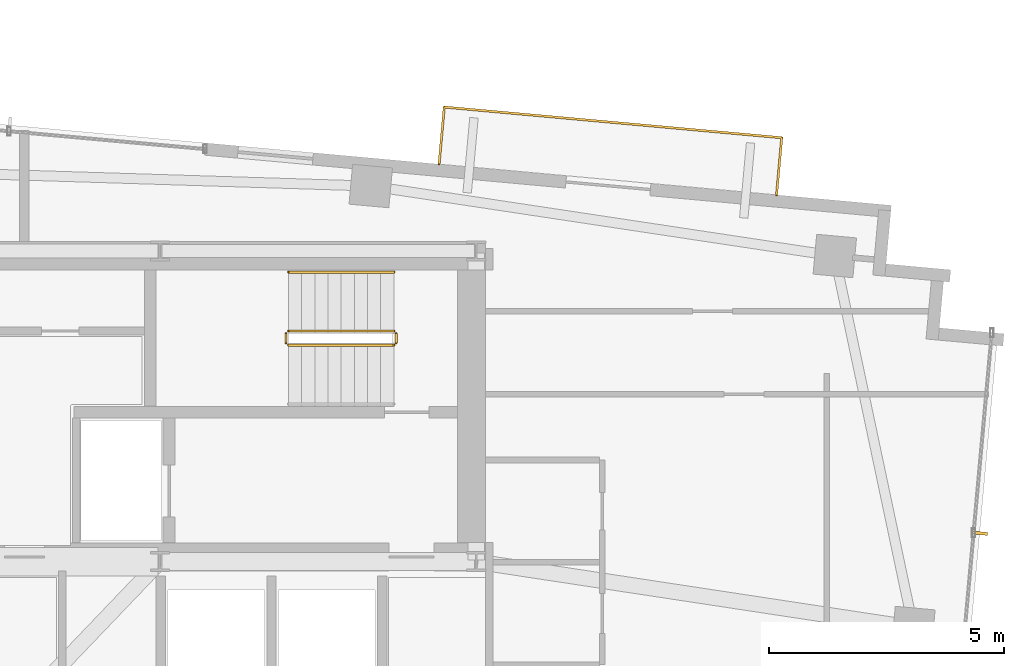
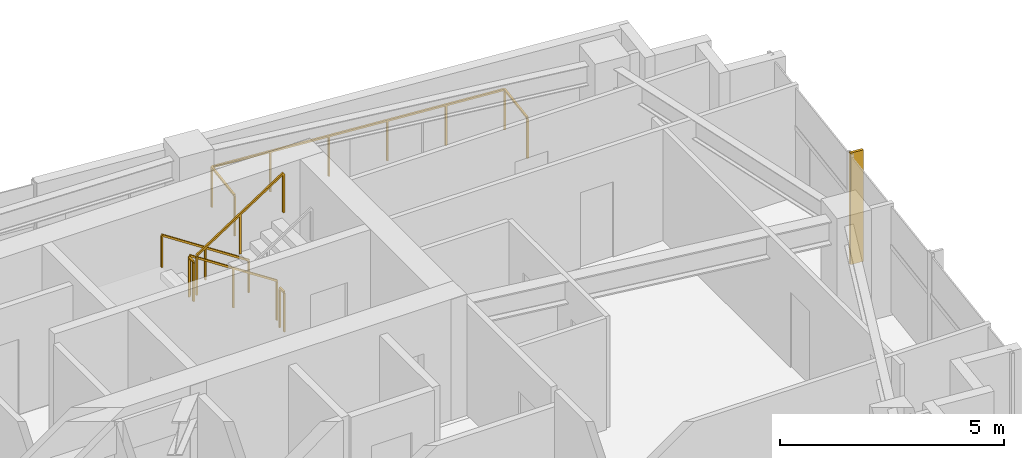
# One storey, part 22 of 22: 6 railings, 1 shading device.
"""IFC4 building model written with IfcOpenShell, lengths in metres."""

from ifc_helpers import new_model, si_unit, direction, frame, origin, origin_2d, place, context, subcontext, project, spatial, rectangle, extrude, source, transform, mapped, material, type_object, type_shapes, element, save


model = new_model("IFC4")

# Units and contexts
model_context = context("Model", 3, precision=1e-05, world=origin(), true_north=direction((0.0, 1.0)))
body_context = subcontext(model_context, "Body", "Model", "MODEL_VIEW")
ifc_project = project(units=[si_unit("LENGTHUNIT", "METRE"), si_unit("AREAUNIT", "SQUARE_METRE"), si_unit("VOLUMEUNIT", "CUBIC_METRE"), si_unit("PLANEANGLEUNIT", "RADIAN"), si_unit("MASSUNIT", "GRAM", prefix="KILO")], contexts=[model_context])

# Site, building, storey
site_placement = place(None, origin())
site = spatial("IfcSite", under=ifc_project, at=site_placement, CompositionType="ELEMENT")
building_placement = place(site_placement, origin())
building = spatial("IfcBuilding", under=site, at=building_placement, Name="Astriad Promenade Condominiums", CompositionType="ELEMENT")
storey_placement = place(building_placement, frame((0.0, 0.0, 252.89990234375)))
storey = spatial("IfcBuildingStorey", under=building, at=storey_placement, Name="L73", CompositionType="ELEMENT", Elevation=252.89990234375)

# Shading device
ifc_material_1 = material(Name="Anodised aluminium 6063-T6 Black Fin", Category="aluminium")
shading_device_type = type_object("IfcShadingDeviceType", Name="FIN-BLACK-260", PredefinedType="USERDEFINED", material=ifc_material_1)
shared_shape_1 = source(origin(), body_context, "Body", "SweptSolid", [
    extrude(rectangle(XDim=0.06494140625, YDim=0.320068359375, at=origin_2d()), origin(), (0.0, 0.0, 1.0), 3.0400390625),
])
type_shapes(shading_device_type, [shared_shape_1])
shading_device_placement = place(storey_placement, frame((56.306884765625, 18.0029296875, 0.0), z_axis=(0.0, 0.0, 1.0), x_axis=(-0.090632580198, -0.995884398616, 0.0)))
element("IfcShadingDevice", 1, at=shading_device_placement, inside=storey, type_object=shading_device_type, Name="CW-L73-E-FIN-01", ObjectType="FIN", PredefinedType="USERDEFINED", context=body_context, shape_type="MappedRepresentation", body=[
    mapped(shared_shape_1, transform((0.0, 0.0, 0.0), scale=1.0)),
])

# Railings
ifc_material_2 = material(Name="Laminated Glass and Stainless Steel Balustrade", Category="steel")
railing_type_1 = type_object("IfcRailingType", Name="GRD-BALC-1120", PredefinedType="BALUSTRADE", material=ifc_material_2)
shared_shape_2 = source(origin(), body_context, "Body", "SweptSolid", [
    extrude(rectangle(XDim=0.048095703125, YDim=0.048095703125, at=origin_2d()), frame((0.0, 0.0, 1.09619140625), z_axis=(0.09066206129, 0.995881715186, 0.0), x_axis=(-0.995881715186, 0.09066206129, 0.0)), (0.0, 0.0, 1.0), 1.219970703125),
    extrude(rectangle(XDim=0.048095703125, YDim=0.048095703125, at=origin_2d()), frame((0.110595703125, 1.21484375, 1.09619140625), z_axis=(-0.995885143463, 0.090624395332, 0.0), x_axis=(-0.090624395332, -0.995885143463, 0.0)), (0.0, 0.0, 1.0), 7.200927734375),
    extrude(rectangle(XDim=0.048095703125, YDim=0.048095703125, at=origin_2d()), frame((-7.060791015625, 1.867431640625, 1.09619140625), z_axis=(-0.09066206129, -0.995881715186, 0.0), x_axis=(0.995881715186, -0.09066206129, 0.0)), (0.0, 0.0, 1.0), 1.219970703125),
    extrude(rectangle(XDim=0.0419921875, YDim=0.0419921875, at=origin_2d()), origin(), (0.0, 0.0, 1.0), 1.072021484375),
    extrude(rectangle(XDim=0.0419921875, YDim=0.0419921875, at=origin_2d()), frame((0.110595703125, 1.21484375, 0.0)), (0.0, 0.0, 1.0), 1.072021484375),
    extrude(rectangle(XDim=0.0419921875, YDim=0.0419921875, at=origin_2d()), frame((-1.32373046875, 1.345458984375, 0.0)), (0.0, 0.0, 1.0), 1.072021484375),
    extrude(rectangle(XDim=0.0419921875, YDim=0.0419921875, at=origin_2d()), frame((-2.758056640625, 1.475830078125, 0.0)), (0.0, 0.0, 1.0), 1.072021484375),
    extrude(rectangle(XDim=0.0419921875, YDim=0.0419921875, at=origin_2d()), frame((-4.192138671875, 1.6064453125, 0.0)), (0.0, 0.0, 1.0), 1.072021484375),
    extrude(rectangle(XDim=0.0419921875, YDim=0.0419921875, at=origin_2d()), frame((-5.62646484375, 1.73681640625, 0.0)), (0.0, 0.0, 1.0), 1.072021484375),
    extrude(rectangle(XDim=0.0419921875, YDim=0.0419921875, at=origin_2d()), frame((-7.060791015625, 1.867431640625, 0.0)), (0.0, 0.0, 1.0), 1.072021484375),
    extrude(rectangle(XDim=0.0419921875, YDim=0.0419921875, at=origin_2d()), frame((-7.17138671875, 0.652587890625, 0.0)), (0.0, 0.0, 1.0), 1.072021484375),
])
type_shapes(railing_type_1, [shared_shape_2])
railing_1_placement = place(storey_placement, frame((51.981689453125, 25.191162109375, 0.0)))
element("IfcRailing", 2, at=railing_1_placement, inside=storey, type_object=railing_type_1, Name="GRD-BALC-L73-NE", PredefinedType="BALUSTRADE", context=body_context, shape_type="MappedRepresentation", body=[
    mapped(shared_shape_2, transform((0.0, 0.0, 0.0), scale=1.0)),
])
ifc_material_3 = material(Name="Painted Galvanised Steel Guardrail", Category="steel")
railing_type_2 = type_object("IfcRailingType", Name="GRD-STAIR-1100", PredefinedType="GUARDRAIL", material=ifc_material_3)
shared_shape_3 = source(origin(), body_context, "Body", "SweptSolid", [
    extrude(rectangle(XDim=0.048095703125, YDim=0.048095703125, at=origin_2d()), frame((0.0, 0.0, 1.076171875), z_axis=(0.836636935527, 0.0, 0.547757827979), x_axis=(0.0, 1.0, 0.0)), (0.0, 0.0, 1.0), 2.677490234375),
    extrude(rectangle(XDim=0.0419921875, YDim=0.0419921875, at=origin_2d()), origin(), (0.0, 0.0, 1.0), 1.052001953125),
    extrude(rectangle(XDim=0.0419921875, YDim=0.0419921875, at=origin_2d()), frame((1.1201171875, 0.0, 0.7333984375)), (0.0, 0.0, 1.0), 1.052001953125),
    extrude(rectangle(XDim=0.0419921875, YDim=0.0419921875, at=origin_2d()), frame((2.239990234375, 0.0, 1.466552734375)), (0.0, 0.0, 1.0), 1.052001953125),
])
railing_2_placement = place(storey_placement, frame((41.610107421875, 22.0, 1.83349609375)))
element("IfcRailing", 3, at=railing_2_placement, inside=storey, type_object=railing_type_2, Name="L73 ST-2 stair guard 3", PredefinedType="GUARDRAIL", context=body_context, shape_type="MappedRepresentation", body=[
    mapped(shared_shape_3, transform((0.0, 0.0, 0.0), scale=1.0)),
])
shared_shape_4 = source(origin(), body_context, "Body", "SweptSolid", [
    extrude(rectangle(XDim=0.048095703125, YDim=0.048095703125, at=origin_2d()), frame((0.0, 0.0, 1.076171875), z_axis=(-0.836595146698, 0.0, 0.547821650285), x_axis=(0.0, -1.0, 0.0)), (0.0, 0.0, 1.0), 2.677490234375),
    extrude(rectangle(XDim=0.0419921875, YDim=0.0419921875, at=origin_2d()), origin(), (0.0, 0.0, 1.0), 1.052001953125),
    extrude(rectangle(XDim=0.0419921875, YDim=0.0419921875, at=origin_2d()), frame((-1.1201171875, 0.0, 0.7333984375)), (0.0, 0.0, 1.0), 1.052001953125),
    extrude(rectangle(XDim=0.0419921875, YDim=0.0419921875, at=origin_2d()), frame((-2.239990234375, 0.0, 1.466796875)), (0.0, 0.0, 1.0), 1.052001953125),
])
railing_3_placement = place(storey_placement, frame((43.85009765625, 22.300048828125, 0.183349609375)))
element("IfcRailing", 4, at=railing_3_placement, inside=storey, type_object=railing_type_2, Name="L73 ST-2 stair guard 1", PredefinedType="GUARDRAIL", context=body_context, shape_type="MappedRepresentation", body=[
    mapped(shared_shape_4, transform((0.0, 0.0, 0.0), scale=1.0)),
])
ifc_material_4 = material(Name="Brushed Stainless Steel Handrail", Category="steel")
railing_type_3 = type_object("IfcRailingType", Name="HRL-STAIR-920", PredefinedType="HANDRAIL", material=ifc_material_4)
shared_shape_5 = source(origin(), body_context, "Body", "SweptSolid", [
    extrude(rectangle(XDim=0.048095703125, YDim=0.048095703125, at=origin_2d()), frame((0.0, 0.0, 0.8759765625), z_axis=(-0.836595146698, 0.0, 0.547821650285), x_axis=(0.0, -1.0, 0.0)), (0.0, 0.0, 1.0), 2.677490234375),
    extrude(rectangle(XDim=0.0419921875, YDim=0.0419921875, at=origin_2d()), origin(), (0.0, 0.0, 1.0), 0.851806640625),
    extrude(rectangle(XDim=0.0419921875, YDim=0.0419921875, at=origin_2d()), frame((-1.1201171875, 0.0, 0.7333984375)), (0.0, 0.0, 1.0), 0.851806640625),
    extrude(rectangle(XDim=0.0419921875, YDim=0.0419921875, at=origin_2d()), frame((-2.239990234375, 0.0, 1.466796875)), (0.0, 0.0, 1.0), 0.851806640625),
])
type_shapes(railing_type_3, [shared_shape_5])
railing_4_placement = place(storey_placement, frame((43.85009765625, 23.550048828125, 0.183349609375)))
element("IfcRailing", 5, at=railing_4_placement, inside=storey, type_object=railing_type_3, Name="L73 ST-2 stair handrail 1", PredefinedType="HANDRAIL", context=body_context, shape_type="MappedRepresentation", body=[
    mapped(shared_shape_5, transform((0.0, 0.0, 0.0), scale=1.0)),
])
shared_shape_6 = source(origin(), body_context, "Body", "SweptSolid", [
    extrude(rectangle(XDim=0.048095703125, YDim=0.048095703125, at=origin_2d()), frame((0.0, 0.0, 1.076171875), z_axis=(0.0, -1.0, 0.0), x_axis=(1.0, 0.0, 0.0)), (0.0, 0.0, 1.0), 0.199951171875),
    extrude(rectangle(XDim=0.0419921875, YDim=0.0419921875, at=origin_2d()), origin(), (0.0, 0.0, 1.0), 1.052001953125),
    extrude(rectangle(XDim=0.0419921875, YDim=0.0419921875, at=origin_2d()), frame((0.0, -0.199951171875, 0.0)), (0.0, 0.0, 1.0), 1.052001953125),
])
type_shapes(railing_type_2, [shared_shape_3, shared_shape_4, shared_shape_6])
for number, where, name in (
    (6, (41.56005859375, 22.25, 1.650146484375), "L73 ST-2 stair guard 2"),
    (7, (43.89990234375, 22.25, 0.0), "L73 ST-2 stair guard 4"),
):
    element("IfcRailing", number, at=place(storey_placement, frame(where)), inside=storey, type_object=railing_type_2, Name=name, PredefinedType="GUARDRAIL", context=body_context, shape_type="MappedRepresentation", body=[
        mapped(shared_shape_6, transform((0.0, 0.0, 0.0), scale=1.0)),
    ])

save(model, "model.ifc")
